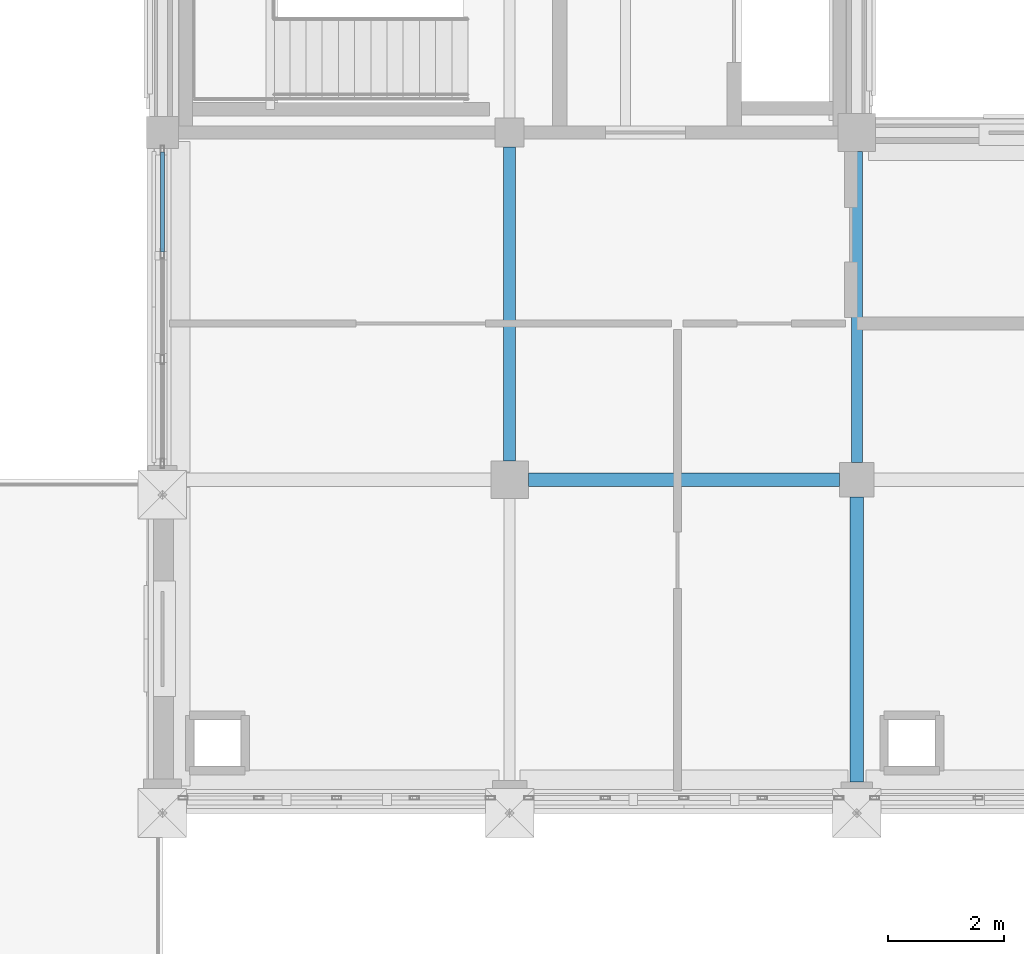
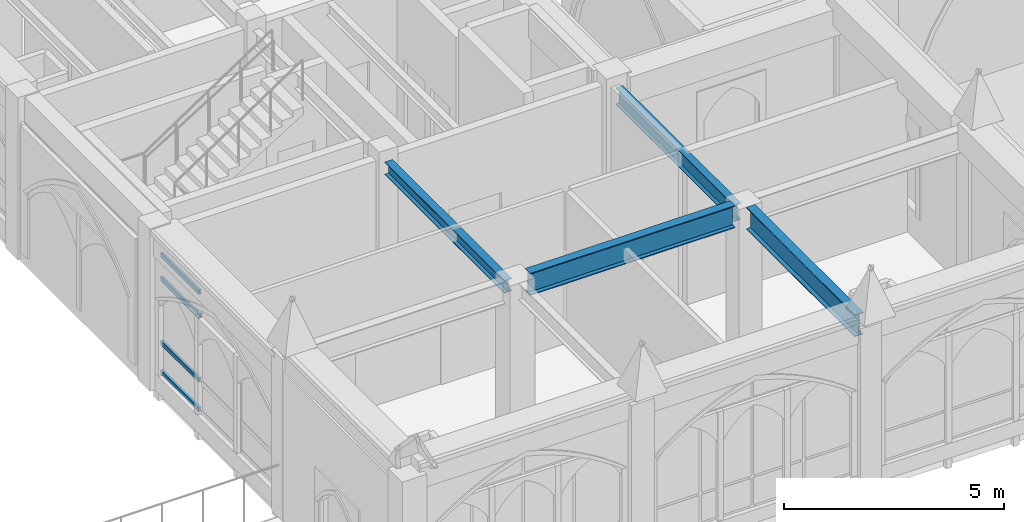
# One storey, part 44 of 143: 4 beams, 4 members, 1 element without a shape of its own.
"""IFC4 building model written with IfcOpenShell, lengths in metres."""

from ifc_helpers import new_model, si_unit, direction, frame, origin, origin_2d, place, context, subcontext, project, spatial, hollow_rectangle, i_section, extrude, material, layer, layer_set, material_profile, profile_set, type_object, element, aggregate, save


model = new_model("IFC4")

# Units and contexts
model_context = context("Model", 3, precision=1e-05, world=origin(), true_north=direction((0.0, 1.0)))
body_context = subcontext(model_context, "Body", "Model", "MODEL_VIEW")
ifc_project = project(units=[si_unit("LENGTHUNIT", "METRE"), si_unit("AREAUNIT", "SQUARE_METRE"), si_unit("VOLUMEUNIT", "CUBIC_METRE"), si_unit("PLANEANGLEUNIT", "RADIAN"), si_unit("MASSUNIT", "GRAM", prefix="KILO")], contexts=[model_context])

# Site, building, storey
site_placement = place(None, origin())
site = spatial("IfcSite", under=ifc_project, at=site_placement, CompositionType="ELEMENT")
building_placement = place(site_placement, origin())
building = spatial("IfcBuilding", under=site, at=building_placement, Name="Cumevento Cable Car Station", CompositionType="ELEMENT")
storey_placement = place(building_placement, frame((0.0, 0.0, 9.0)))
storey = spatial("IfcBuildingStorey", under=building, at=storey_placement, Name="L03", CompositionType="ELEMENT", Elevation=9.0)

# Curtain wall, members
ifc_material_1 = material(Name="Anodised Bronze Aluminium AW-6063-T6", Category="aluminium")
ifc_layer = layer(ifc_material_1, 0.243896484375)
ifc_layer_set = layer_set([ifc_layer], Name="Anodised Bronze Aluminium AW-6063-T6")
curtain_wall_type = type_object("IfcCurtainWallType", Name="Lancet Curtain Wall CW-15 1610", PredefinedType="NOTDEFINED", material=ifc_layer_set)
curtain_wall_placement = place(storey_placement, origin())
curtain_wall = element("IfcCurtainWall", 1, at=curtain_wall_placement, inside=storey, type_object=curtain_wall_type, Name="Lancet Curtain Wall CW-15 L03 #126", PredefinedType="NOTDEFINED")
ifc_material_2 = material(Name="Anodised Bronze Aluminium AW-6063-T6", Category="aluminium")
ifc_material_profile_1 = material_profile(ifc_material_2, hollow_rectangle(XDim=0.06494140625, YDim=0.1201171875, WallThickness=0.00390625, at=origin_2d()), Name="ALUT65x120x4")
ifc_profile_set_1 = profile_set([ifc_material_profile_1], Name="Anodised Bronze Aluminium AW-6063-T6")
member_type = type_object("IfcMemberType", Name="Curtain Transom CWT-01 ALUT65x120x4", PredefinedType="USERDEFINED", material=ifc_profile_set_1)
member_1_placement = place(storey_placement, frame((118.0, 18.9326171875, 0.492431640625), z_axis=(0.0, 1.0, 0.0), x_axis=(-1.0, 0.0, 0.0)))
member_1 = element("IfcMember", 2, at=member_1_placement, type_object=member_type, Name="CW-15 transom 3.1", ObjectType="TRANSOM", PredefinedType="USERDEFINED", context=body_context, shape_type="SweptSolid", body=[
    extrude(hollow_rectangle(XDim=0.06494140625, YDim=0.1201171875, WallThickness=0.00390625, at=origin_2d()), origin(), (0.0, 0.0, 1.0), 1.727294921875),
])
member_2_placement = place(storey_placement, frame((118.0, 18.9326171875, 1.31005859375), z_axis=(0.0, 1.0, 0.0), x_axis=(-1.0, 0.0, 0.0)))
member_2 = element("IfcMember", 3, at=member_2_placement, type_object=member_type, Name="CW-15 transom 3.2", ObjectType="TRANSOM", PredefinedType="USERDEFINED", context=body_context, shape_type="SweptSolid", body=[
    extrude(hollow_rectangle(XDim=0.06494140625, YDim=0.1201171875, WallThickness=0.00390625, at=origin_2d()), origin(), (0.0, 0.0, 1.0), 1.727294921875),
])
member_3_placement = place(storey_placement, frame((118.0, 18.9326171875, 3.077880859375), z_axis=(0.0, 1.0, 0.0), x_axis=(-1.0, 0.0, 0.0)))
member_3 = element("IfcMember", 4, at=member_3_placement, type_object=member_type, Name="CW-15 transom 3.3", ObjectType="TRANSOM", PredefinedType="USERDEFINED", context=body_context, shape_type="SweptSolid", body=[
    extrude(hollow_rectangle(XDim=0.06494140625, YDim=0.1201171875, WallThickness=0.00390625, at=origin_2d()), origin(), (0.0, 0.0, 1.0), 1.727294921875),
])
member_4_placement = place(storey_placement, frame((118.0, 18.9326171875, 3.74560546875), z_axis=(0.0, 1.0, 0.0), x_axis=(-1.0, 0.0, 0.0)))
member_4 = element("IfcMember", 5, at=member_4_placement, type_object=member_type, Name="CW-15 transom 3.4", ObjectType="TRANSOM", PredefinedType="USERDEFINED", context=body_context, shape_type="SweptSolid", body=[
    extrude(hollow_rectangle(XDim=0.06494140625, YDim=0.1201171875, WallThickness=0.00390625, at=origin_2d()), origin(), (0.0, 0.0, 1.0), 1.727294921875),
])
aggregate(curtain_wall, [member_1, member_2, member_3, member_4])

# Beams
ifc_material_3 = material(Name="Steel ASTM A572 Grade 50", Category="steel")
ifc_material_profile_2 = material_profile(ifc_material_3, i_section(OverallWidth=0.22998046875, OverallDepth=0.616943359375, WebThickness=0.01318359375, FlangeThickness=0.022216796875, at=origin_2d()), Name="W610x140.0")
ifc_profile_set_2 = profile_set([ifc_material_profile_2], Name="Steel ASTM A572 Grade 50")
beam_type_1 = type_object("IfcBeamType", Name="Structural Beam BM-01 W610x140.0", PredefinedType="BEAM", material=ifc_profile_set_2)
beam_1_placement = place(storey_placement, frame((124.324951171875, 15.0, 4.19140625), z_axis=(1.0, 0.0, 0.0), x_axis=(0.0, 1.0, 0.0)))
element("IfcBeam", 6, at=beam_1_placement, inside=storey, type_object=beam_type_1, Name="Beam BM-01 L03 #1126", PredefinedType="BEAM", context=body_context, shape_type="SweptSolid", body=[
    extrude(i_section(OverallWidth=0.22998046875, OverallDepth=0.616943359375, WebThickness=0.01318359375, FlangeThickness=0.022216796875, at=origin_2d()), origin(), (0.0, 0.0, 1.0), 5.375),
])
ifc_material_4 = material(Name="Steel ASTM A572 Grade 50", Category="steel")
ifc_material_profile_3 = material_profile(ifc_material_4, i_section(OverallWidth=0.22802734375, OverallDepth=0.60791015625, WebThickness=0.01123046875, FlangeThickness=0.017333984375, at=origin_2d()), Name="W610x113.0")
ifc_profile_set_3 = profile_set([ifc_material_profile_3], Name="Steel ASTM A572 Grade 50")
beam_type_2 = type_object("IfcBeamType", Name="Structural Beam BM-02 W610x113.0", PredefinedType="BEAM", material=ifc_profile_set_3)
beam_2_placement = place(storey_placement, frame((130.0, 9.77490234375, 4.196044921875), z_axis=(0.0, 1.0, 0.0), x_axis=(-1.0, 0.0, 0.0)))
element("IfcBeam", 7, at=beam_2_placement, inside=storey, type_object=beam_type_2, Name="Beam BM-02 L03 #1135", PredefinedType="BEAM", context=body_context, shape_type="SweptSolid", body=[
    extrude(i_section(OverallWidth=0.22802734375, OverallDepth=0.60791015625, WebThickness=0.01123046875, FlangeThickness=0.017333984375, at=origin_2d()), origin(), (0.0, 0.0, 1.0), 4.925048828125),
])
ifc_material_5 = material(Name="Steel ASTM A572 Grade 50", Category="steel")
ifc_material_profile_4 = material_profile(ifc_material_5, i_section(OverallWidth=0.18994140625, OverallDepth=0.45703125, WebThickness=0.009033203125, FlangeThickness=0.014404296875, at=origin_2d()), Name="W460x74.0")
ifc_profile_set_4 = profile_set([ifc_material_profile_4], Name="Steel ASTM A572 Grade 50")
beam_type_3 = type_object("IfcBeamType", Name="Structural Beam BM-04 W460x74.0", PredefinedType="BEAM", material=ifc_profile_set_4)
beam_3_placement = place(storey_placement, frame((130.0, 15.300048828125, 3.95654296875), z_axis=(0.0, 1.0, 0.0), x_axis=(-1.0, 0.0, 0.0)))
element("IfcBeam", 8, at=beam_3_placement, inside=storey, type_object=beam_type_3, Name="Beam BM-04 L03 #1136", PredefinedType="BEAM", context=body_context, shape_type="SweptSolid", body=[
    extrude(i_section(OverallWidth=0.18994140625, OverallDepth=0.45703125, WebThickness=0.009033203125, FlangeThickness=0.014404296875, at=origin_2d()), origin(), (0.0, 0.0, 1.0), 5.375),
])
ifc_material_6 = material(Name="Steel ASTM A572 Grade 50", Category="steel")
ifc_material_profile_5 = material_profile(ifc_material_6, i_section(OverallWidth=0.205078125, OverallDepth=0.35400390625, WebThickness=0.009521484375, FlangeThickness=0.016845703125, at=origin_2d()), Name="W360x79.0")
ifc_profile_set_5 = profile_set([ifc_material_profile_5], Name="Steel ASTM A572 Grade 50")
beam_type_4 = type_object("IfcBeamType", Name="Structural Beam BM-05 W360x79.0", PredefinedType="BEAM", material=ifc_profile_set_5)
beam_4_placement = place(storey_placement, frame((124.0, 15.324951171875, 4.008056640625), z_axis=(0.0, 1.0, 0.0), x_axis=(-1.0, 0.0, 0.0)))
element("IfcBeam", 9, at=beam_4_placement, inside=storey, type_object=beam_type_4, Name="Beam BM-05 L03 #1134", PredefinedType="BEAM", context=body_context, shape_type="SweptSolid", body=[
    extrude(i_section(OverallWidth=0.205078125, OverallDepth=0.35400390625, WebThickness=0.009521484375, FlangeThickness=0.016845703125, at=origin_2d()), origin(), (0.0, 0.0, 1.0), 5.425048828125),
])

save(model, "model.ifc")
